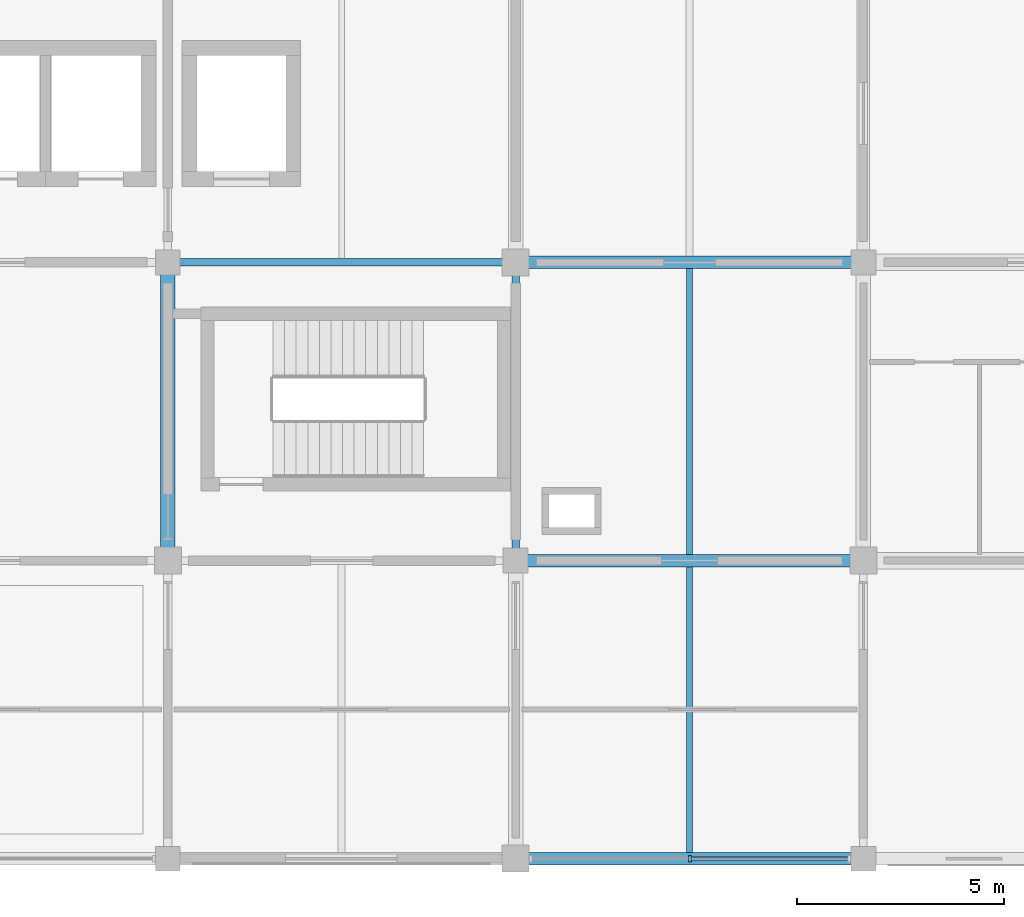
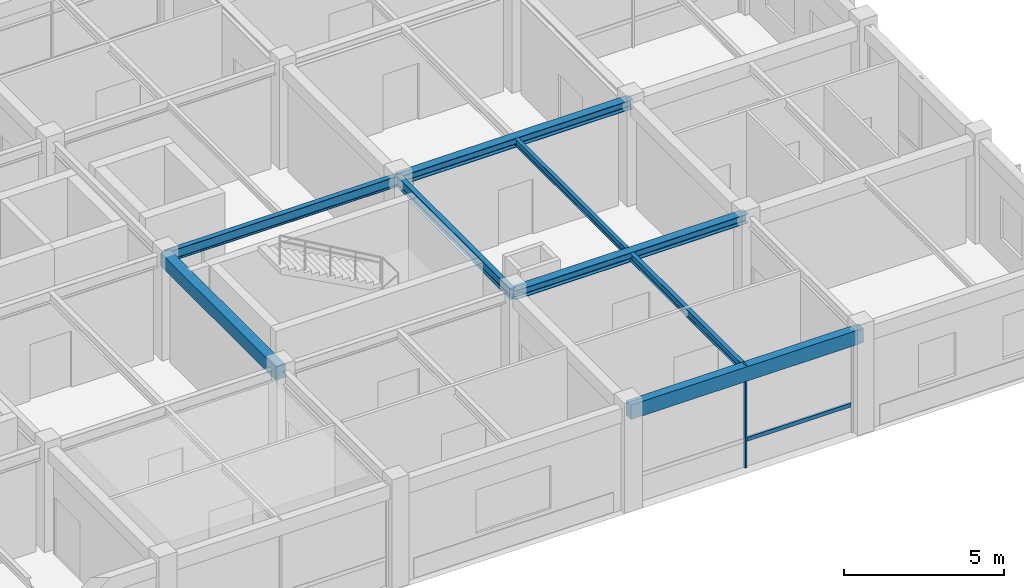
# One storey, part 3 of 13: 8 beams, 2 members, 1 element without a shape of its own.
"""IFC4 building model written with IfcOpenShell, lengths in metres."""

from ifc_helpers import new_model, si_unit, derived_unit, direction, frame, origin, origin_2d, place, context, subcontext, project, spatial, rectangle, i_section, extrude, material, material_profile, profile_set, type_object, element, aggregate, save


model = new_model("IFC4")

# Units and contexts
model_context = context("Model", 3, precision=1e-05, world=origin(), true_north=direction((0.0, 1.0)))
body_context = subcontext(model_context, "Body", "Model", "MODEL_VIEW")
ifc_project = project(units=[si_unit("LENGTHUNIT", "METRE"), si_unit("AREAUNIT", "SQUARE_METRE"), si_unit("VOLUMEUNIT", "CUBIC_METRE"), si_unit("PLANEANGLEUNIT", "RADIAN"), si_unit("MASSUNIT", "GRAM", prefix="KILO"), derived_unit("THERMALTRANSMITTANCEUNIT", [(si_unit("MASSUNIT", "GRAM", prefix="KILO"), 1), (si_unit("TIMEUNIT", "SECOND"), -3), (si_unit("THERMODYNAMICTEMPERATUREUNIT", "KELVIN"), -1)])], contexts=[model_context])

# Site, building, storey
site_placement = place(None, origin())
site = spatial("IfcSite", under=ifc_project, at=site_placement, CompositionType="ELEMENT")
building_placement = place(site_placement, origin())
building = spatial("IfcBuilding", under=site, at=building_placement, Name="Veldstrom Oceanarium and Marine Research Institute", CompositionType="ELEMENT")
storey_placement = place(building_placement, frame((0.0, 0.0, 52.199951171875)))
storey = spatial("IfcBuildingStorey", under=building, at=storey_placement, Name="L11", CompositionType="ELEMENT", Elevation=52.199951171875)

# Curtain wall, members
ifc_material_1 = material(Name="Anodised Aluminium Framing", Category="aluminium")
curtain_wall_type = type_object("IfcCurtainWallType", Name="ARC-CW-CW04", PredefinedType="USERDEFINED", material=ifc_material_1)
curtain_wall_placement = place(storey_placement, origin())
curtain_wall = element("IfcCurtainWall", 1, at=curtain_wall_placement, inside=storey, type_object=curtain_wall_type, Name="Curtain Wall CW04 CW-L11-155", ObjectType="Curtain wall", PredefinedType="USERDEFINED")
ifc_material_2 = material(Name="Anodised Aluminium Framing", Category="aluminium")
ifc_material_profile_1 = material_profile(ifc_material_2, rectangle(XDim=0.06494140625, YDim=0.14990234375, at=origin_2d()), Name="ALU-MUL-65x150")
ifc_profile_set_1 = profile_set([ifc_material_profile_1], Name="Anodised Aluminium Framing")
member_type_1 = type_object("IfcMemberType", Name="ARC-MUL-ML2", PredefinedType="MULLION", material=ifc_profile_set_1)
member_1_placement = place(storey_placement, frame((105.012451171875, 43.199951171875, 0.0), z_axis=(0.0, 0.0, 1.0), x_axis=(1.0, 0.0, 0.0)))
member_1 = element("IfcMember", 2, at=member_1_placement, type_object=member_type_1, Name="Curtain Wall Mullion CW-L11-155-MUL-2", PredefinedType="MULLION", context=body_context, shape_type="SweptSolid", body=[
    extrude(rectangle(XDim=0.06494140625, YDim=0.14990234375, at=origin_2d()), origin(), (0.0, 0.0, 1.0), 3.920166015625),
])
ifc_material_3 = material(Name="Anodised Aluminium Framing", Category="aluminium")
ifc_material_profile_2 = material_profile(ifc_material_3, rectangle(XDim=0.074951171875, YDim=0.14990234375, at=origin_2d()), Name="ALU-TRN-75x150")
ifc_profile_set_2 = profile_set([ifc_material_profile_2], Name="Anodised Aluminium Framing")
member_type_2 = type_object("IfcMemberType", Name="ARC-TRN-TR1", PredefinedType="USERDEFINED", material=ifc_profile_set_2)
member_2_placement = place(storey_placement, frame((105.052490234375, 43.199951171875, 1.050048828125), z_axis=(1.0, 0.0, 0.0), x_axis=(0.0, 1.0, 0.0)))
member_2 = element("IfcMember", 3, at=member_2_placement, type_object=member_type_2, Name="Curtain Wall Transom CW-L11-155-TRN-2", ObjectType="Transom", PredefinedType="USERDEFINED", context=body_context, shape_type="SweptSolid", body=[
    extrude(rectangle(XDim=0.074951171875, YDim=0.14990234375, at=origin_2d()), origin(), (0.0, 0.0, 1.0), 3.767578125),
])
aggregate(curtain_wall, [member_1, member_2])

# Beams
ifc_material_4 = material(Name="Concrete C40/50", Category="concrete")
ifc_material_profile_3 = material_profile(ifc_material_4, rectangle(XDim=0.35009765625, YDim=0.5, at=origin_2d()), Name="RC-BM-350x500")
ifc_profile_set_3 = profile_set([ifc_material_profile_3], Name="Concrete C40/50")
beam_type_1 = type_object("IfcBeamType", Name="STR-BM-B08", PredefinedType="BEAM", material=ifc_profile_set_3)
beam_1_placement = place(storey_placement, frame((92.39990234375, 50.39990234375, 3.6650390625), z_axis=(0.0, 1.0, 0.0), x_axis=(-1.0, 0.0, 0.0)))
element("IfcBeam", 4, at=beam_1_placement, inside=storey, type_object=beam_type_1, Name="Primary Beam B08 L11-2638", PredefinedType="BEAM", context=body_context, shape_type="SweptSolid", body=[
    extrude(rectangle(XDim=0.35009765625, YDim=0.5, at=origin_2d()), origin(), (0.0, 0.0, 1.0), 7.2001953125),
])
ifc_material_5 = material(Name="Steel S355JR", Category="steel")
ifc_material_profile_4 = material_profile(ifc_material_5, i_section(OverallWidth=0.179931640625, OverallDepth=0.39990234375, WebThickness=0.008544921875, FlangeThickness=0.013427734375, FilletRadius=0.02099609375, at=origin_2d()), Name="IPE 400")
ifc_profile_set_4 = profile_set([ifc_material_profile_4], Name="Steel S355JR")
beam_type_2 = type_object("IfcBeamType", Name="STR-BM-SB8", PredefinedType="BEAM", material=ifc_profile_set_4)
beam_2_placement = place(storey_placement, frame((92.39990234375, 57.60009765625, 3.715087890625), z_axis=(1.0, 0.0, 0.0), x_axis=(0.0, 1.0, 0.0)))
element("IfcBeam", 5, at=beam_2_placement, inside=storey, type_object=beam_type_2, Name="Steel Floor Girder SB8 L11-2617", PredefinedType="BEAM", context=body_context, shape_type="SweptSolid", body=[
    extrude(i_section(OverallWidth=0.179931640625, OverallDepth=0.39990234375, WebThickness=0.008544921875, FlangeThickness=0.013427734375, FilletRadius=0.02099609375, at=origin_2d()), origin(), (0.0, 0.0, 1.0), 8.400146484375),
])
beam_3_placement = place(storey_placement, frame((100.800048828125, 50.39990234375, 3.715087890625), z_axis=(0.0, 1.0, 0.0), x_axis=(-1.0, 0.0, 0.0)))
element("IfcBeam", 6, at=beam_3_placement, inside=storey, type_object=beam_type_2, Name="Steel Tie Beam SB8 L11-2642", PredefinedType="BEAM", context=body_context, shape_type="SweptSolid", body=[
    extrude(i_section(OverallWidth=0.179931640625, OverallDepth=0.39990234375, WebThickness=0.008544921875, FlangeThickness=0.013427734375, FilletRadius=0.02099609375, at=origin_2d()), origin(), (0.0, 0.0, 1.0), 7.2001953125),
])
ifc_material_6 = material(Name="Steel S355JR", Category="steel")
ifc_material_profile_5 = material_profile(ifc_material_6, i_section(OverallWidth=0.300048828125, OverallDepth=0.35009765625, WebThickness=0.010009765625, FlangeThickness=0.017578125, FilletRadius=0.027099609375, at=origin_2d()), Name="HEA 360")
ifc_profile_set_5 = profile_set([ifc_material_profile_5], Name="Steel S355JR")
beam_type_3 = type_object("IfcBeamType", Name="STR-BM-SB9", PredefinedType="BEAM", material=ifc_profile_set_5)
for number, where, z_axis, x_axis, name in (
    (7, (100.800048828125, 50.39990234375, 3.739990234375), (1.0, 0.0, 0.0), (0.0, 1.0, 0.0), "Steel Floor Girder SB9 L11-2621"),
    (8, (100.800048828125, 57.60009765625, 3.739990234375), (1.0, 0.0, 0.0), (0.0, 1.0, 0.0), "Steel Floor Girder SB9 L11-2622"),
):
    element("IfcBeam", number, at=place(storey_placement, frame(where, z_axis=z_axis, x_axis=x_axis)), inside=storey, type_object=beam_type_3, Name=name, PredefinedType="BEAM", context=body_context, shape_type="SweptSolid", body=[
        extrude(i_section(OverallWidth=0.300048828125, OverallDepth=0.35009765625, WebThickness=0.010009765625, FlangeThickness=0.017578125, FilletRadius=0.027099609375, at=origin_2d()), origin(), (0.0, 0.0, 1.0), 8.39990234375),
    ])
ifc_material_7 = material(Name="Steel S355JR", Category="steel")
ifc_material_profile_6 = material_profile(ifc_material_7, i_section(OverallWidth=0.14990234375, OverallDepth=0.300048828125, WebThickness=0.007080078125, FlangeThickness=0.0107421875, FilletRadius=0.014892578125, at=origin_2d()), Name="IPE 300")
ifc_profile_set_6 = profile_set([ifc_material_profile_6], Name="Steel S355JR")
beam_type_4 = type_object("IfcBeamType", Name="STR-JST-SJ2", PredefinedType="JOIST", material=ifc_profile_set_6)
beam_4_placement = place(storey_placement, frame((105.0, 43.35009765625, 3.76513671875), z_axis=(0.0, 1.0, 0.0), x_axis=(-1.0, 0.0, 0.0)))
element("IfcBeam", 9, at=beam_4_placement, inside=storey, type_object=beam_type_4, Name="Secondary Joist SJ2 L11-2661", PredefinedType="JOIST", context=body_context, shape_type="SweptSolid", body=[
    extrude(i_section(OverallWidth=0.14990234375, OverallDepth=0.300048828125, WebThickness=0.007080078125, FlangeThickness=0.0107421875, FilletRadius=0.014892578125, at=origin_2d()), origin(), (0.0, 0.0, 1.0), 6.89990234375),
])
ifc_material_8 = material(Name="Steel S355JR", Category="steel")
ifc_material_profile_7 = material_profile(ifc_material_8, i_section(OverallWidth=0.135009765625, OverallDepth=0.27001953125, WebThickness=0.006591796875, FlangeThickness=0.01025390625, FilletRadius=0.014892578125, at=origin_2d()), Name="IPE 270")
ifc_profile_set_7 = profile_set([ifc_material_profile_7], Name="Steel S355JR")
beam_type_5 = type_object("IfcBeamType", Name="STR-JST-SJ3", PredefinedType="JOIST", material=ifc_profile_set_7)
beam_5_placement = place(storey_placement, frame((105.0, 50.550048828125, 3.780029296875), z_axis=(0.0, 1.0, 0.0), x_axis=(-1.0, 0.0, 0.0)))
element("IfcBeam", 10, at=beam_5_placement, inside=storey, type_object=beam_type_5, Name="Secondary Joist SJ3 L11-2662", PredefinedType="JOIST", context=body_context, shape_type="SweptSolid", body=[
    extrude(i_section(OverallWidth=0.135009765625, OverallDepth=0.27001953125, WebThickness=0.006591796875, FlangeThickness=0.01025390625, FilletRadius=0.014892578125, at=origin_2d()), origin(), (0.0, 0.0, 1.0), 6.89990234375),
])
ifc_material_9 = material(Name="Concrete C40/50", Category="concrete")
ifc_material_profile_8 = material_profile(ifc_material_9, rectangle(XDim=0.300048828125, YDim=0.550048828125, at=origin_2d()), Name="RC-SPN-300x550")
ifc_profile_set_8 = profile_set([ifc_material_profile_8], Name="Concrete C40/50")
beam_type_6 = type_object("IfcBeamType", Name="STR-SPN-SP2", PredefinedType="SPANDREL", material=ifc_profile_set_8)
beam_6_placement = place(storey_placement, frame((100.800048828125, 43.199951171875, 3.64013671875), z_axis=(1.0, 0.0, 0.0), x_axis=(0.0, 1.0, 0.0)))
element("IfcBeam", 11, at=beam_6_placement, inside=storey, type_object=beam_type_6, Name="Perimeter Spandrel SPB2 L11-2620", PredefinedType="SPANDREL", context=body_context, shape_type="SweptSolid", body=[
    extrude(rectangle(XDim=0.300048828125, YDim=0.550048828125, at=origin_2d()), origin(), (0.0, 0.0, 1.0), 8.39990234375),
])

save(model, "model.ifc")
